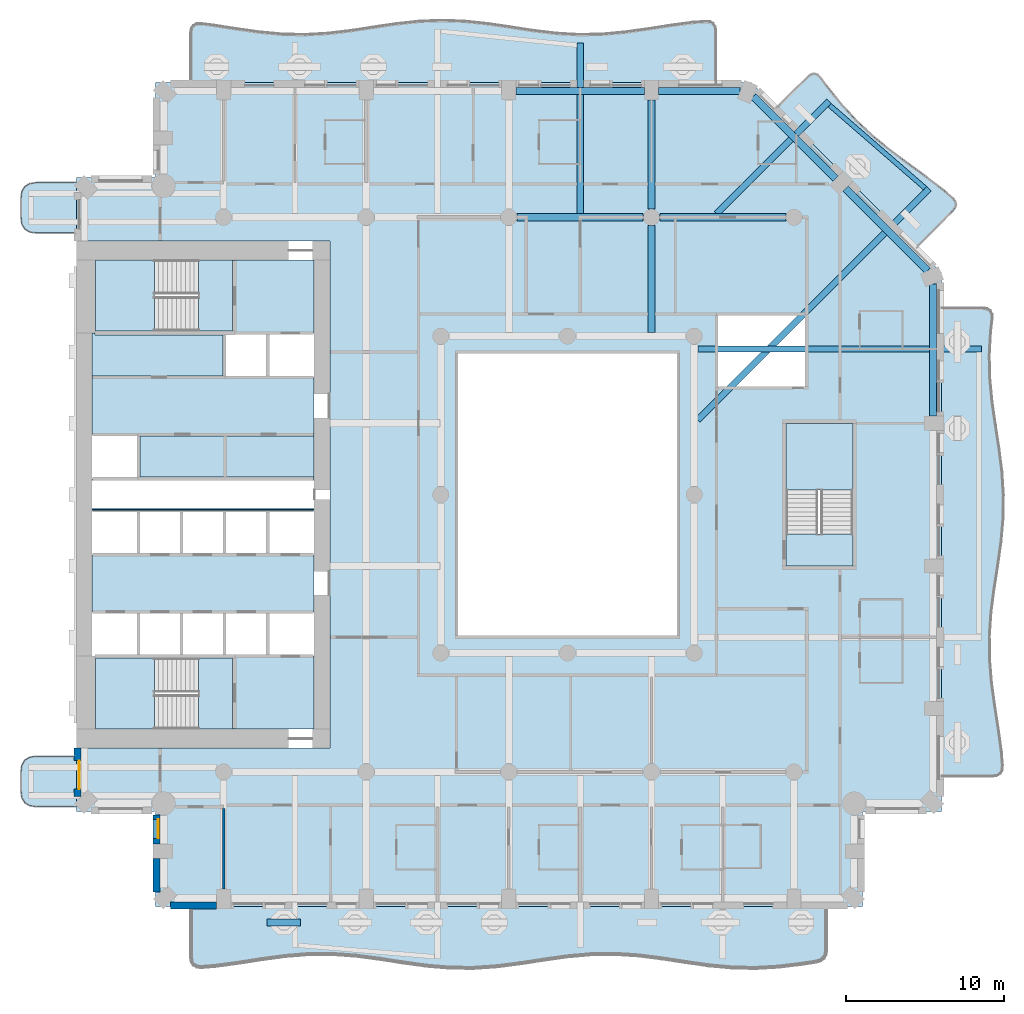
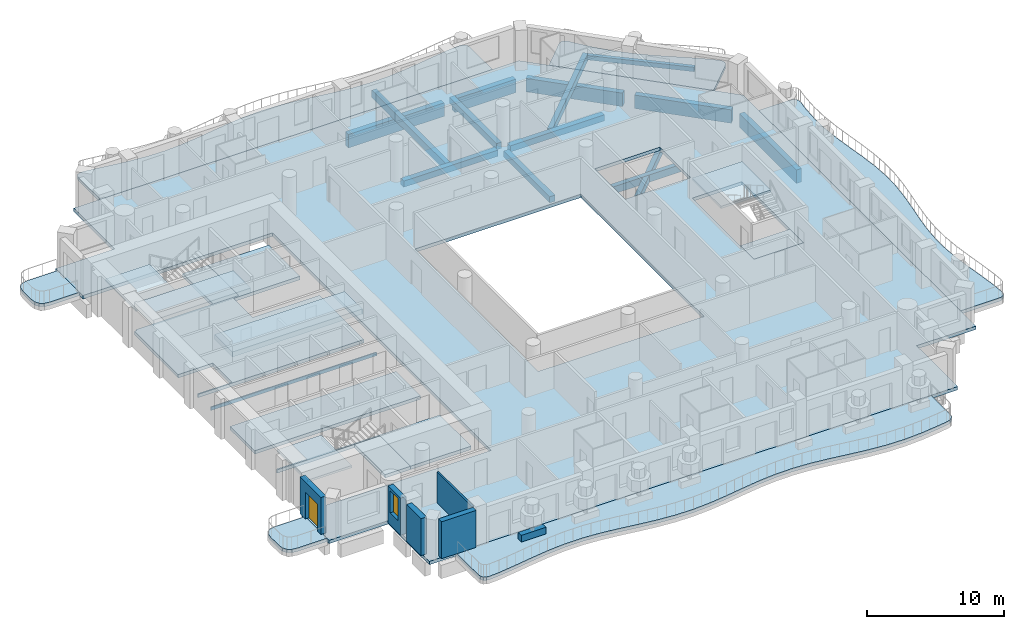
# One storey, part 2 of 19: 19 slabs, 14 beams, 6 walls, 1 door, 1 window, 2 openings, 3 elements without a shape of their own.
"""IFC4 building model written with IfcOpenShell, lengths in metres."""

from ifc_helpers import new_model, si_unit, direction, frame, frame_2d, origin, origin_2d, place, context, subcontext, project, spatial, polyline, rectangle, outline, extrude, material, layer, layer_set, material_profile, profile_set, type_object, element, fill, aggregate, save


model = new_model("IFC4")

# Units and contexts
model_context = context("Model", 3, precision=1e-05, world=origin(), true_north=direction((0.0, 1.0)))
body_context = subcontext(model_context, "Body", "Model", "MODEL_VIEW")
ifc_project = project(units=[si_unit("LENGTHUNIT", "METRE"), si_unit("AREAUNIT", "SQUARE_METRE"), si_unit("VOLUMEUNIT", "CUBIC_METRE"), si_unit("PLANEANGLEUNIT", "RADIAN"), si_unit("MASSUNIT", "GRAM", prefix="KILO")], contexts=[model_context])

# Site, building, storey
site_placement = place(None, origin())
site = spatial("IfcSite", under=ifc_project, at=site_placement, CompositionType="ELEMENT")
building_placement = place(site_placement, origin())
building = spatial("IfcBuilding", under=site, at=building_placement, Name="Cypress Arch Tower", CompositionType="ELEMENT")
storey_placement = place(building_placement, frame((0.0, 0.0, 141.89990234375)))
storey = spatial("IfcBuildingStorey", under=building, at=storey_placement, Name="L31", CompositionType="ELEMENT", Elevation=141.89990234375)

# Beams
ifc_material_1 = material(Name="Concrete C50/60", Category="concrete")
ifc_material_profile_1 = material_profile(ifc_material_1, rectangle(XDim=0.300048828125, YDim=0.39990234375, at=origin_2d()), Name="RC 300x400")
ifc_profile_set_1 = profile_set([ifc_material_profile_1], Name="Concrete C50/60")
beam_type_1 = type_object("IfcBeamType", Name="Balcony edge beam RC 300x400 Concrete C50/60", PredefinedType="BEAM", material=ifc_profile_set_1)
beam_1_placement = place(storey_placement, frame((23.56689453125, 19.337646484375, -0.5), z_axis=(-0.755110430218, 0.655597619105, 0.0), x_axis=(-0.655597619105, -0.755110430218, 0.0)))
element("IfcBeam", 1, at=beam_1_placement, inside=storey, type_object=beam_type_1, Name="Balcony edge beam L31 A07", PredefinedType="BEAM", context=body_context, shape_type="SweptSolid", body=[
    extrude(rectangle(XDim=0.300048828125, YDim=0.39990234375, at=origin_2d()), origin(), (0.0, 0.0, 1.0), 7.980712890625),
])
ifc_material_2 = material(Name="Concrete C50/60", Category="concrete")
ifc_material_profile_2 = material_profile(ifc_material_2, rectangle(XDim=0.39990234375, YDim=0.64990234375, at=origin_2d()), Name="RC 400x650")
ifc_profile_set_2 = profile_set([ifc_material_profile_2], Name="Concrete C50/60")
beam_type_2 = type_object("IfcBeamType", Name="Cantilever beam RC 400x650 Concrete C50/60", PredefinedType="BEAM", material=ifc_profile_set_2)
beam_2_placement = place(storey_placement, frame((9.22509765625, 9.18798828125, -0.625), z_axis=(1.0, 0.0, 0.0), x_axis=(0.0, 1.0, 0.0)))
element("IfcBeam", 2, at=beam_2_placement, inside=storey, type_object=beam_type_2, Name="Cantilever beam L31 A06 2", PredefinedType="BEAM", context=body_context, shape_type="SweptSolid", body=[
    extrude(rectangle(XDim=0.39990234375, YDim=0.64990234375, at=origin_2d()), origin(), (0.0, 0.0, 1.0), 17.898681640625),
])
beam_3_placement = place(storey_placement, frame((9.22509765625, 4.712890625, -0.625), z_axis=(0.707106781187, 0.707106781187, 0.0), x_axis=(-0.707106781187, 0.707106781187, 0.0)))
element("IfcBeam", 3, at=beam_3_placement, inside=storey, type_object=beam_type_2, Name="Cantilever beam L31 A07 1", PredefinedType="BEAM", context=body_context, shape_type="SweptSolid", body=[
    extrude(rectangle(XDim=0.39990234375, YDim=0.64990234375, at=origin_2d()), origin(), (0.0, 0.0, 1.0), 20.632568359375),
])
beam_4_placement = place(storey_placement, frame((10.412841796875, 17.72509765625, -0.625), z_axis=(0.707106781187, 0.707106781187, 0.0), x_axis=(-0.707106781187, 0.707106781187, 0.0)))
element("IfcBeam", 4, at=beam_4_placement, inside=storey, type_object=beam_type_2, Name="Cantilever beam L31 A07 2", PredefinedType="BEAM", context=body_context, shape_type="SweptSolid", body=[
    extrude(rectangle(XDim=0.39990234375, YDim=0.64990234375, at=origin_2d()), origin(), (0.0, 0.0, 1.0), 10.030029296875),
])
beam_5_placement = place(storey_placement, frame((1.800048828125, 17.72509765625, -0.625), z_axis=(0.0, 1.0, 0.0), x_axis=(-1.0, 0.0, 0.0)))
element("IfcBeam", 5, at=beam_5_placement, inside=storey, type_object=beam_type_2, Name="Cantilever beam L31 A08 1", PredefinedType="BEAM", context=body_context, shape_type="SweptSolid", body=[
    extrude(rectangle(XDim=0.39990234375, YDim=0.64990234375, at=origin_2d()), origin(), (0.0, 0.0, 1.0), 10.780517578125),
])
ifc_material_3 = material(Name="Concrete C50/60", Category="concrete")
ifc_material_profile_3 = material_profile(ifc_material_3, rectangle(XDim=0.449951171875, YDim=0.550048828125, at=origin_2d()), Name="RC 450x550")
ifc_profile_set_3 = profile_set([ifc_material_profile_3], Name="Concrete C50/60")
beam_type_3 = type_object("IfcBeamType", Name="Floor beam RC 450x550 Concrete C50/60", PredefinedType="BEAM", material=ifc_profile_set_3)
for number, where, z_axis, x_axis, name in (
    (6, (-2.175048828125, 17.5, -0.574951171875), (1.0, 0.0, 0.0), (0.0, 1.0, 0.0), "Floor beam L31 FB017"),
    (7, (6.824951171875, 17.5, -0.574951171875), (1.0, 0.0, 0.0), (0.0, 1.0, 0.0), "Floor beam L31 FB018"),
):
    element("IfcBeam", number, at=place(storey_placement, frame(where, z_axis=z_axis, x_axis=x_axis)), inside=storey, type_object=beam_type_3, Name=name, PredefinedType="BEAM", context=body_context, shape_type="SweptSolid", body=[
        extrude(rectangle(XDim=0.449951171875, YDim=0.550048828125, at=origin_2d()), origin(), (0.0, 0.0, 1.0), 7.949951171875),
    ])
beam_6_placement = place(storey_placement, frame((6.300048828125, 10.22509765625, -0.574951171875), z_axis=(0.0, 1.0, 0.0), x_axis=(-1.0, 0.0, 0.0)))
element("IfcBeam", 8, at=beam_6_placement, inside=storey, type_object=beam_type_3, Name="Floor beam L31 FB032", PredefinedType="BEAM", context=body_context, shape_type="SweptSolid", body=[
    extrude(rectangle(XDim=0.449951171875, YDim=0.550048828125, at=origin_2d()), origin(), (0.0, 0.0, 1.0), 6.75),
])
beam_7_placement = place(storey_placement, frame((6.300048828125, 18.02490234375, -0.574951171875), z_axis=(0.0, 1.0, 0.0), x_axis=(-1.0, 0.0, 0.0)))
element("IfcBeam", 9, at=beam_7_placement, inside=storey, type_object=beam_type_3, Name="Floor beam L31 FB033", PredefinedType="BEAM", context=body_context, shape_type="SweptSolid", body=[
    extrude(rectangle(XDim=0.449951171875, YDim=0.550048828125, at=origin_2d()), origin(), (0.0, 0.0, 1.0), 6.875),
])
ifc_material_4 = material(Name="Concrete C50/60", Category="concrete")
ifc_material_profile_4 = material_profile(ifc_material_4, rectangle(XDim=0.449951171875, YDim=1.199951171875, at=origin_2d()), Name="RC 450x1200")
ifc_profile_set_4 = profile_set([ifc_material_profile_4], Name="Concrete C50/60")
beam_type_4 = type_object("IfcBeamType", Name="Spandrel beam RC 450x1200 Concrete C50/60", PredefinedType="SPANDREL", material=ifc_profile_set_4)
beam_8_placement = place(storey_placement, frame((24.074951171875, 4.949951171875, -1.5498046875), z_axis=(0.0, 1.0, 0.0), x_axis=(-1.0, 0.0, 0.0)))
element("IfcBeam", 10, at=beam_8_placement, inside=storey, type_object=beam_type_4, Name="Spandrel beam L31 BA06-3", PredefinedType="SPANDREL", context=body_context, shape_type="SweptSolid", body=[
    extrude(rectangle(XDim=0.449951171875, YDim=1.199951171875, at=origin_2d()), origin(), (0.0, 0.0, 1.0), 8.345458984375),
])
for number, where, z_axis, x_axis, name in (
    (11, (23.73046875, 14.126953125, -1.5498046875), (-0.707106781187, 0.707106781187, 0.0), (-0.707106781187, -0.707106781187, 0.0), "Spandrel beam L31 BA07-0"),
    (12, (17.91064453125, 19.947021484375, -1.5498046875), (-0.707106781187, 0.707106781187, 0.0), (-0.707106781187, -0.707106781187, 0.0), "Spandrel beam L31 BA07-1"),
):
    element("IfcBeam", number, at=place(storey_placement, frame(where, z_axis=z_axis, x_axis=x_axis)), inside=storey, type_object=beam_type_4, Name=name, PredefinedType="SPANDREL", context=body_context, shape_type="SweptSolid", body=[
        extrude(rectangle(XDim=0.449951171875, YDim=1.199951171875, at=origin_2d()), origin(), (0.0, 0.0, 1.0), 7.330810546875),
    ])
beam_9_placement = place(storey_placement, frame((11.8955078125, 25.47509765625, -1.5498046875), z_axis=(-1.0, 0.0, 0.0), x_axis=(0.0, -1.0, 0.0)))
element("IfcBeam", 13, at=beam_9_placement, inside=storey, type_object=beam_type_4, Name="Spandrel beam L31 BA08-0", PredefinedType="SPANDREL", context=body_context, shape_type="SweptSolid", body=[
    extrude(rectangle(XDim=0.449951171875, YDim=1.199951171875, at=origin_2d()), origin(), (0.0, 0.0, 1.0), 5.1455078125),
])
beam_10_placement = place(storey_placement, frame((5.85009765625, 25.47509765625, -1.5498046875), z_axis=(-1.0, 0.0, 0.0), x_axis=(0.0, -1.0, 0.0)))
element("IfcBeam", 14, at=beam_10_placement, inside=storey, type_object=beam_type_4, Name="Spandrel beam L31 BA08-1", PredefinedType="SPANDREL", context=body_context, shape_type="SweptSolid", body=[
    extrude(rectangle(XDim=0.449951171875, YDim=1.199951171875, at=origin_2d()), origin(), (0.0, 0.0, 1.0), 8.10009765625),
])

# Slabs
ifc_material_5 = material(Name="Concrete C40/50", Category="concrete")
ifc_layer_1 = layer(ifc_material_5, 0.300048828125)
ifc_layer_set_1 = layer_set([ifc_layer_1], Name="Balcony slab BS300")
slab_type_1 = type_object("IfcSlabType", Name="Balcony slab BS300", PredefinedType="USERDEFINED", material=ifc_layer_set_1)
slab_1_placement = place(storey_placement, frame((0.0, 0.0, -0.2998046875)))
element("IfcSlab", 15, at=slab_1_placement, inside=storey, type_object=slab_type_1, Name="Balcony slab L31-A00W0", ObjectType="BALCONY SLAB", PredefinedType="USERDEFINED", context=body_context, shape_type="SweptSolid", body=[
    extrude(outline(polyline([(-30.0, 19.699951171875), (-32.5, 19.699951171875), (-32.9375, 19.637451171875), (-33.25, 19.449951171875), (-33.4375, 19.137451171875), (-33.5, 18.699951171875), (-33.5, 17.5), (-33.4375, 17.0625), (-33.25, 16.75), (-32.9375, 16.5625), (-32.5, 16.5), (-30.0, 16.5), (-30.0, 19.699951171875)])), origin(), (0.0, 0.0, 1.0), 0.2998046875),
])
slab_2_placement = place(storey_placement, frame((0.0, 0.0, -0.2998046875)))
element("IfcSlab", 16, at=slab_2_placement, inside=storey, type_object=slab_type_1, Name="Balcony slab L31-A00W1", ObjectType="BALCONY SLAB", PredefinedType="USERDEFINED", context=body_context, shape_type="SweptSolid", body=[
    extrude(outline(polyline([(-30.0, -16.5), (-32.5, -16.5), (-32.9375, -16.5625), (-33.25, -16.75), (-33.4375, -17.0625), (-33.5, -17.5), (-33.5, -18.699951171875), (-33.4375, -19.137451171875), (-33.25, -19.449951171875), (-32.9375, -19.637451171875), (-32.5, -19.699951171875), (-30.0, -19.699951171875), (-30.0, -16.5)])), origin(), (0.0, 0.0, 1.0), 0.2998046875),
])
slab_3_placement = place(storey_placement, frame((0.0, 0.0, -0.2998046875)))
element("IfcSlab", 17, at=slab_3_placement, inside=storey, type_object=slab_type_1, Name="Balcony slab L31-A03", ObjectType="BALCONY SLAB", PredefinedType="USERDEFINED", context=body_context, shape_type="SweptSolid", body=[
    extrude(outline(polyline([(-22.75, -26.0), (-22.75, -29.21435546875), (-22.708251953125, -29.50439453125), (-22.5830078125, -29.7041015625), (-22.3740234375, -29.813720703125), (-22.081787109375, -29.8330078125), (-21.264892578125, -29.769775390625), (-19.779541015625, -29.571044921875), (-18.29443359375, -29.34033203125), (-16.809326171875, -29.138427734375), (-15.323974609375, -29.0185546875), (-13.8388671875, -29.011962890625), (-12.353759765625, -29.12060546875), (-10.868408203125, -29.315673828125), (-9.38330078125, -29.546142578125), (-7.898193359375, -29.751220703125), (-6.412841796875, -29.87744140625), (-4.927734375, -29.89111328125), (-3.442626953125, -29.788818359375), (-1.95751953125, -29.59765625), (-0.47216796875, -29.36767578125), (1.012939453125, -29.1591796875), (2.498046875, -29.02734375), (3.9833984375, -29.00634765625), (5.468505859375, -29.10205078125), (6.95361328125, -29.289306640625), (8.43896484375, -29.5185546875), (9.924072265625, -29.72998046875), (11.4091796875, -29.86767578125), (12.89453125, -29.895751953125), (14.379638671875, -29.806640625), (15.86474609375, -29.623779296875), (16.681640625, -29.498046875), (16.97412109375, -29.41064453125), (17.182861328125, -29.251708984375), (17.308349609375, -29.021240234375), (17.35009765625, -28.718994140625), (17.35009765625, -26.0), (-22.75, -26.0)])), origin(), (0.0, 0.0, 1.0), 0.2998046875),
])
slab_4_placement = place(storey_placement, frame((0.0, 0.0, -0.2998046875)))
element("IfcSlab", 18, at=slab_4_placement, inside=storey, type_object=slab_type_1, Name="Balcony slab L31-A06", ObjectType="BALCONY SLAB", PredefinedType="USERDEFINED", context=body_context, shape_type="SweptSolid", body=[
    extrude(outline(polyline([(24.60009765625, -17.75), (27.81884765625, -17.75), (28.10693359375, -17.70849609375), (28.305419921875, -17.583984375), (28.414306640625, -17.376708984375), (28.43359375, -17.086181640625), (28.370849609375, -16.27490234375), (28.174072265625, -14.800048828125), (27.945068359375, -13.324951171875), (27.7431640625, -11.85009765625), (27.620849609375, -10.375), (27.60986328125, -8.89990234375), (27.712890625, -7.425048828125), (27.903564453125, -5.949951171875), (28.132080078125, -4.47509765625), (28.33935546875, -3.0), (28.471435546875, -1.52490234375), (28.494384765625, -0.050048828125), (28.402099609375, 1.425048828125), (28.218505859375, 2.89990234375), (27.9912109375, 4.375), (27.779296875, 5.85009765625), (27.63720703125, 7.324951171875), (27.6025390625, 8.800048828125), (27.68359375, 10.27490234375), (27.780517578125, 11.086181640625), (27.7734375, 11.376708984375), (27.6728515625, 11.583984375), (27.478759765625, 11.70849609375), (27.19140625, 11.75), (24.60009765625, 11.75), (24.60009765625, -17.75)])), origin(), (0.0, 0.0, 1.0), 0.2998046875),
])
slab_5_placement = place(storey_placement, frame((0.0, 0.0, -0.2998046875)))
element("IfcSlab", 19, at=slab_5_placement, inside=storey, type_object=slab_type_1, Name="Balcony slab L31-A07", ObjectType="BALCONY SLAB", PredefinedType="USERDEFINED", context=body_context, shape_type="SweptSolid", body=[
    extrude(outline(polyline([(23.009033203125, 15.591064453125), (25.313720703125, 17.895751953125), (25.4775390625, 18.11474609375), (25.52685546875, 18.329345703125), (25.461669921875, 18.53955078125), (25.281982421875, 18.74560546875), (24.70263671875, 19.244140625), (23.595458984375, 20.0966796875), (22.464111328125, 20.9248046875), (21.343017578125, 21.76318359375), (20.2646484375, 22.64453125), (19.251708984375, 23.591064453125), (18.311767578125, 24.610595703125), (17.435546875, 25.694091796875), (16.975830078125, 26.31201171875), (16.783203125, 26.50537109375), (16.582275390625, 26.579833984375), (16.372314453125, 26.535400390625), (16.15380859375, 26.371826171875), (14.19091796875, 24.408935546875), (23.009033203125, 15.591064453125)])), origin(), (0.0, 0.0, 1.0), 0.2998046875),
])
slab_6_placement = place(storey_placement, frame((0.0, 0.0, -0.2998046875)))
element("IfcSlab", 20, at=slab_6_placement, inside=storey, type_object=slab_type_1, Name="Balcony slab L31-A08", ObjectType="BALCONY SLAB", PredefinedType="USERDEFINED", context=body_context, shape_type="SweptSolid", body=[
    extrude(outline(polyline([(10.35009765625, 26.0), (10.35009765625, 29.235107421875), (10.3095703125, 29.516357421875), (10.18798828125, 29.7099609375), (9.98583984375, 29.81640625), (9.702392578125, 29.835205078125), (8.910888671875, 29.77490234375), (7.4716796875, 29.584716796875), (6.03271484375, 29.361572265625), (4.593505859375, 29.159912109375), (3.154296875, 29.030029296875), (1.71533203125, 29.004150390625), (0.276123046875, 29.088134765625), (-1.1630859375, 29.26171875), (-2.602294921875, 29.481689453125), (-4.041259765625, 29.69384765625), (-5.48046875, 29.845947265625), (-6.919677734375, 29.89990234375), (-8.358642578125, 29.843017578125), (-9.7978515625, 29.688720703125), (-11.237060546875, 29.4755859375), (-12.676025390625, 29.256103515625), (-14.115234375, 29.08447265625), (-15.554443359375, 29.003173828125), (-16.993408203125, 29.032470703125), (-18.4326171875, 29.164794921875), (-19.871826171875, 29.367431640625), (-21.310791015625, 29.590576171875), (-22.102294921875, 29.6943359375), (-22.3857421875, 29.690673828125), (-22.588134765625, 29.5947265625), (-22.70947265625, 29.406494140625), (-22.75, 29.1259765625), (-22.75, 26.0), (10.35009765625, 26.0)])), origin(), (0.0, 0.0, 1.0), 0.2998046875),
])
ifc_material_6 = material(Name="Concrete C40/50", Category="concrete")
ifc_layer_2 = layer(ifc_material_6, 0.300048828125)
ifc_layer_set_2 = layer_set([ifc_layer_2], Name="Core floor CF300")
slab_type_2 = type_object("IfcSlabType", Name="Core floor CF300", PredefinedType="FLOOR", material=ifc_layer_set_2)
slab_7_placement = place(storey_placement, frame((0.0, 0.0, -0.2998046875)))
element("IfcSlab", 21, at=slab_7_placement, inside=storey, type_object=slab_type_2, Name="Core floor", PredefinedType="FLOOR", context=body_context, shape_type="SweptSolid", body=[
    extrude(outline(polyline([(-20.125, -14.800048828125), (-15.0, -14.800048828125), (-15.0, -10.199951171875), (-17.919921875, -10.199951171875), (-20.639892578125, -10.199951171875), (-23.360107421875, -10.199951171875), (-26.080078125, -10.199951171875), (-28.800048828125, -10.199951171875), (-28.800048828125, -10.324951171875), (-22.27490234375, -10.324951171875), (-20.125, -10.324951171875), (-20.125, -14.800048828125)])), origin(), (0.0, 0.0, 1.0), 0.2998046875),
])
slab_8_placement = place(storey_placement, frame((0.0, 0.0, -0.2998046875)))
element("IfcSlab", 22, at=slab_8_placement, inside=storey, type_object=slab_type_2, Name="Core floor", PredefinedType="FLOOR", context=body_context, shape_type="SweptSolid", body=[
    extrude(outline(polyline([(-29.0, -3.800048828125), (-29.0, -7.39990234375), (-26.080078125, -7.39990234375), (-23.360107421875, -7.39990234375), (-20.639892578125, -7.39990234375), (-17.919921875, -7.39990234375), (-15.0, -7.39990234375), (-15.0, -3.800048828125), (-17.919921875, -3.800048828125), (-20.639892578125, -3.800048828125), (-23.360107421875, -3.800048828125), (-26.080078125, -3.800048828125), (-29.0, -3.800048828125)])), origin(), (0.0, 0.0, 1.0), 0.2998046875),
])
slab_9_placement = place(storey_placement, frame((0.0, 0.0, -0.2998046875)))
element("IfcSlab", 23, at=slab_9_placement, inside=storey, type_object=slab_type_2, Name="Core floor", PredefinedType="FLOOR", context=body_context, shape_type="SweptSolid", body=[
    extrude(outline(polyline([(-29.0, 3.800048828125), (-29.0, 10.199951171875), (-28.800048828125, 10.199951171875), (-28.800048828125, 10.324951171875), (-28.60009765625, 10.324951171875), (-22.27490234375, 10.324951171875), (-20.125, 10.324951171875), (-20.125, 14.800048828125), (-15.39990234375, 14.800048828125), (-15.0, 14.800048828125), (-15.0, 10.199951171875), (-15.39990234375, 10.199951171875), (-17.919921875, 10.199951171875), (-20.639892578125, 10.199951171875), (-20.639892578125, 7.39990234375), (-17.919921875, 7.39990234375), (-15.39990234375, 7.39990234375), (-15.0, 7.39990234375), (-15.0, 0.89990234375), (-28.60009765625, 0.89990234375), (-29.0, 0.89990234375), (-29.0, 1.0), (-28.60009765625, 1.0), (-26.080078125, 1.0), (-26.080078125, 3.800048828125), (-28.60009765625, 3.800048828125), (-29.0, 3.800048828125)])), origin(), (0.0, 0.0, 1.0), 0.2998046875),
])
slab_10_placement = place(storey_placement, frame((0.0, 0.0, -0.2998046875)))
element("IfcSlab", 24, at=slab_10_placement, inside=storey, type_object=slab_type_2, Name="Core floor", PredefinedType="FLOOR", context=body_context, shape_type="SweptSolid", body=[
    extrude(outline(polyline([(-22.27490234375, -10.324951171875), (-22.27490234375, -14.800048828125), (-20.125, -14.800048828125), (-20.125, -10.324951171875), (-22.27490234375, -10.324951171875)])), origin(), (0.0, 0.0, 1.0), 0.2998046875),
])
slab_11_placement = place(storey_placement, frame((0.0, 0.0, -0.2998046875)))
element("IfcSlab", 25, at=slab_11_placement, inside=storey, type_object=slab_type_2, Name="Core floor", PredefinedType="FLOOR", context=body_context, shape_type="SweptSolid", body=[
    extrude(outline(polyline([(-20.125, 14.800048828125), (-22.27490234375, 14.800048828125), (-22.27490234375, 10.324951171875), (-20.125, 10.324951171875), (-20.125, 14.800048828125)])), origin(), (0.0, 0.0, 1.0), 0.2998046875),
])
slab_12_placement = place(storey_placement, frame((0.0, 0.0, -0.2998046875)))
element("IfcSlab", 26, at=slab_12_placement, inside=storey, type_object=slab_type_2, Name="Stair floor landing", PredefinedType="FLOOR", context=body_context, shape_type="SweptSolid", body=[
    extrude(outline(polyline([(19.0, -4.5), (19.0, -2.5), (14.800048828125, -2.5), (14.800048828125, -4.5), (19.0, -4.5)])), origin(), (0.0, 0.0, 1.0), 0.2998046875),
])
slab_13_placement = place(storey_placement, frame((0.0, 0.0, -0.2998046875)))
element("IfcSlab", 27, at=slab_13_placement, inside=storey, type_object=slab_type_2, Name="Core floor", PredefinedType="FLOOR", context=body_context, shape_type="SweptSolid", body=[
    extrude(outline(polyline([(-20.639892578125, -1.0), (-23.360107421875, -1.0), (-26.080078125, -1.0), (-28.60009765625, -1.0), (-29.0, -1.0), (-29.0, -0.89990234375), (-28.60009765625, -0.89990234375), (-15.39990234375, -0.89990234375), (-15.0, -0.89990234375), (-15.0, -1.0), (-15.39990234375, -1.0), (-17.919921875, -1.0), (-20.639892578125, -1.0)])), origin(), (0.0, 0.0, 1.0), 0.2998046875),
])
ifc_material_7 = material(Name="Concrete C40/50", Category="concrete")
ifc_layer_3 = layer(ifc_material_7, 0.449951171875)
ifc_layer_set_3 = layer_set([ifc_layer_3], Name="Lift pit slab PS450")
slab_type_3 = type_object("IfcSlabType", Name="Lift pit slab PS450", PredefinedType="FLOOR", material=ifc_layer_set_3)
slab_14_placement = place(storey_placement, frame((0.0, 0.0, 2.150146484375)))
element("IfcSlab", 28, at=slab_14_placement, inside=storey, type_object=slab_type_3, Name="Lift pit slab", PredefinedType="FLOOR", context=body_context, shape_type="SweptSolid", body=[
    extrude(outline(polyline([(-15.0, 3.800048828125), (-15.030029296875, 3.800048828125), (-15.030029296875, 3.699951171875), (-25.97998046875, 3.699951171875), (-25.97998046875, 1.10009765625), (-15.030029296875, 1.10009765625), (-15.030029296875, 1.0), (-15.0, 1.0), (-15.0, 3.800048828125)])), origin(), (0.0, 0.0, 1.0), 0.449951171875),
])
slab_15_placement = place(storey_placement, frame((0.0, 0.0, 2.150146484375)))
element("IfcSlab", 29, at=slab_15_placement, inside=storey, type_object=slab_type_3, Name="Lift pit slab", PredefinedType="FLOOR", context=body_context, shape_type="SweptSolid", body=[
    extrude(outline(polyline([(-29.0, 7.39990234375), (-28.969970703125, 7.39990234375), (-28.969970703125, 7.5), (-20.739990234375, 7.5), (-20.739990234375, 10.074951171875), (-28.81005859375, 10.074951171875), (-28.81005859375, 10.199951171875), (-29.0, 10.199951171875), (-29.0, 7.39990234375)])), origin(), (0.0, 0.0, 1.0), 0.449951171875),
])
ifc_material_8 = material(Name="Concrete C40/50", Category="concrete")
ifc_layer_4 = layer(ifc_material_8, 0.300048828125)
ifc_layer_set_4 = layer_set([ifc_layer_4], Name="PT flat slab 300 Concrete C40/50")
slab_type_4 = type_object("IfcSlabType", Name="PT flat slab 300 Concrete C40/50", PredefinedType="FLOOR", material=ifc_layer_set_4)
slab_16_placement = place(storey_placement, frame((0.0, 0.0, -0.2998046875)))
element("IfcSlab", 30, at=slab_16_placement, inside=storey, type_object=slab_type_4, Name="Floor slab L31", PredefinedType="FLOOR", context=body_context, shape_type="SweptSolid", body=[
    extrude(outline(polyline([(-25.0, 20.0), (-25.0, 26.0), (12.60009765625, 26.0), (24.60009765625, 14.0), (24.60009765625, -20.0), (19.60009765625, -20.0), (19.60009765625, -26.0), (-25.0, -26.0), (-25.0, -20.0), (-30.0, -20.0), (-30.0, -16.0), (-14.0, -16.0), (-14.0, 16.0), (-30.0, 16.0), (-30.0, 20.0), (-25.0, 20.0)]), holes=[polyline([(19.0, -4.5), (19.0, 4.5), (14.800048828125, 4.5), (14.800048828125, -4.5), (19.0, -4.5)]), polyline([(16.0, 6.824951171875), (16.0, 11.300048828125), (10.5, 11.300048828125), (10.5, 6.824951171875), (16.0, 6.824951171875)]), polyline([(8.0, -9.0), (8.0, 9.0), (-6.0, 9.0), (-6.0, -9.0), (8.0, -9.0)])]), origin(), (0.0, 0.0, 1.0), 0.2998046875),
])

# Stair, slab
ifc_material_9 = material(Name="Concrete C40/50", Category="concrete")
stair_type_1 = type_object("IfcStairType", Name="Exit stair ES1636-215", PredefinedType="HALF_TURN_STAIR", material=ifc_material_9)
stair_1_placement = place(storey_placement, origin())
stair_1 = element("IfcStair", 31, at=stair_1_placement, inside=storey, type_object=stair_type_1, Name="L31 Exit stair A", PredefinedType="HALF_TURN_STAIR")
ifc_material_10 = material(Name="Concrete C40/50", Category="concrete")
ifc_layer_5 = layer(ifc_material_10, 0.199951171875)
ifc_layer_set_5 = layer_set([ifc_layer_5], Name="Stair landing SL200")
slab_type_5 = type_object("IfcSlabType", Name="Stair landing SL200", PredefinedType="LANDING", material=ifc_layer_set_5)
slab_17_placement = place(storey_placement, frame((0.0, 0.0, 1.60009765625)))
slab_17 = element("IfcSlab", 32, at=slab_17_placement, type_object=slab_type_5, Name="A landing 1", PredefinedType="LANDING", context=body_context, shape_type="SweptSolid", body=[
    extrude(outline(polyline([(-25.074951171875, -10.324951171875), (-28.800048828125, -10.324951171875), (-28.800048828125, -14.800048828125), (-25.074951171875, -14.800048828125), (-25.074951171875, -10.324951171875)])), origin(), (0.0, 0.0, 1.0), 0.199951171875),
])
aggregate(stair_1, [slab_17])

stair_2_placement = place(storey_placement, origin())
stair_2 = element("IfcStair", 33, at=stair_2_placement, inside=storey, type_object=stair_type_1, Name="L31 Exit stair B", PredefinedType="HALF_TURN_STAIR")
slab_18_placement = place(storey_placement, frame((0.0, 0.0, 1.60009765625)))
slab_18 = element("IfcSlab", 34, at=slab_18_placement, type_object=slab_type_5, Name="B landing 1", PredefinedType="LANDING", context=body_context, shape_type="SweptSolid", body=[
    extrude(outline(polyline([(-25.074951171875, 14.800048828125), (-28.800048828125, 14.800048828125), (-28.800048828125, 10.324951171875), (-25.074951171875, 10.324951171875), (-25.074951171875, 14.800048828125)])), origin(), (0.0, 0.0, 1.0), 0.199951171875),
])
aggregate(stair_2, [slab_18])

ifc_material_11 = material(Name="Concrete C40/50", Category="concrete")
stair_type_2 = type_object("IfcStairType", Name="Exit stair ES1636-200", PredefinedType="HALF_TURN_STAIR", material=ifc_material_11)
stair_3_placement = place(storey_placement, origin())
stair_3 = element("IfcStair", 35, at=stair_3_placement, inside=storey, type_object=stair_type_2, Name="L31 Exit stair C", PredefinedType="HALF_TURN_STAIR")
slab_19_placement = place(storey_placement, frame((0.0, 0.0, 1.60009765625)))
slab_19 = element("IfcSlab", 36, at=slab_19_placement, type_object=slab_type_5, Name="C landing 1", PredefinedType="LANDING", context=body_context, shape_type="SweptSolid", body=[
    extrude(outline(polyline([(19.0, 0.300048828125), (19.0, 4.5), (14.800048828125, 4.5), (14.800048828125, 0.300048828125), (19.0, 0.300048828125)])), origin(), (0.0, 0.0, 1.0), 0.199951171875),
])
aggregate(stair_3, [slab_19])

# Wall
ifc_material_12 = material(Name="Concrete C40/50, waterproofed", Category="concrete")
ifc_layer_6 = layer(ifc_material_12, 0.449951171875)
ifc_layer_set_6 = layer_set([ifc_layer_6], Name="Balcony planter wall PW450")
wall_type_1 = type_object("IfcWallType", Name="Balcony planter wall PW450", PredefinedType="SOLIDWALL", material=ifc_layer_set_6)
wall_1_placement = place(storey_placement, frame((-17.949951171875, -27.0, 0.0), z_axis=(0.0, 0.0, 1.0), x_axis=(1.0, 0.0, 0.0)))
element("IfcWall", 37, at=wall_1_placement, inside=storey, type_object=wall_type_1, Name="Balcony planter wall L31-A03.1", PredefinedType="SOLIDWALL", context=body_context, shape_type="SweptSolid", body=[
    extrude(rectangle(XDim=2.099853515625, YDim=0.449951171875, at=frame_2d((1.0498046875, 0.0))), origin(), (0.0, 0.0, 1.0), 0.60009765625),
])

# Wall, opening, door
ifc_material_13 = material(Name="Brick (red buff blend)", Category="masonry")
ifc_layer_7 = layer(ifc_material_13, 0.449951171875)
ifc_layer_set_7 = layer_set([ifc_layer_7], Name="Brick pier and spandrel wall BW450")
wall_type_2 = type_object("IfcWallType", Name="Brick pier and spandrel wall BW450", PredefinedType="SOLIDWALL", material=ifc_layer_set_7)
wall_2_placement = place(storey_placement, frame((-29.925048828125, -16.0, 0.0), z_axis=(0.0, 0.0, 1.0), x_axis=(0.0, -1.0, 0.0)))
wall_2 = element("IfcWall", 38, at=wall_2_placement, inside=storey, type_object=wall_type_2, Name="Brick wall L31 A00.0.1", PredefinedType="SOLIDWALL", context=body_context, shape_type="SweptSolid", body=[
    extrude(rectangle(XDim=3.063720703125, YDim=0.449951171875, at=frame_2d((1.53173828125, 0.0))), origin(), (0.0, 0.0, 1.0), 3.300048828125),
])
opening_1_placement = place(wall_2_placement, frame((0.78173828125, 0.0, 0.0)))
opening_1 = element("IfcOpeningElement", 39, at=opening_1_placement, cuts=wall_2, Name="Opening D-L31-A00.0.1.9", PredefinedType="OPENING", context=body_context, shape_type="SweptSolid", body=[
    extrude(rectangle(XDim=1.800048828125, YDim=2.39990234375, at=frame_2d((0.89990234375, 1.199951171875))), frame((0.0, 0.23486328125, 0.0), z_axis=(0.0, -1.0, 0.0), x_axis=(1.0, 0.0, 0.0)), (0.0, 0.0, 1.0), 0.469970703125),
])
ifc_material_14 = material(Name="Anodised aluminium, bronze finish, laminated low-emissivity double glazing, large-missile impact rated", Category="aluminium")
door_type = type_object("IfcDoorType", Name="Balcony sliding door 1800x2400", OperationType="SLIDING_TO_LEFT", PredefinedType="DOOR", material=ifc_material_14)
door_placement = place(opening_1_placement, origin())
door = element("IfcDoor", 40, at=door_placement, inside=storey, type_object=door_type, Name="Balcony door L31 A00.0.1.9", OperationType="SLIDING_TO_LEFT", OverallHeight=2.39990234375, OverallWidth=1.800048828125, PredefinedType="DOOR", context=body_context, shape_type="SweptSolid", body=[
    extrude(rectangle(XDim=1.800048828125, YDim=2.39990234375, at=frame_2d((0.89990234375, 1.199951171875))), frame((0.0, 0.1298828125, 0.0), z_axis=(0.0, -1.0, 0.0), x_axis=(1.0, 0.0, 0.0)), (0.0, 0.0, 1.0), 0.050048828125),
])
fill(opening_1, door)

# Wall, opening, window
wall_3_placement = place(storey_placement, frame((-24.925048828125, -20.20703125, 0.0), z_axis=(0.0, 0.0, 1.0), x_axis=(0.0, -1.0, 0.0)))
wall_3 = element("IfcWall", 41, at=wall_3_placement, inside=storey, type_object=wall_type_2, Name="Brick wall L31 A02.0", PredefinedType="SOLIDWALL", context=body_context, shape_type="SweptSolid", body=[
    extrude(rectangle(XDim=1.843017578125, YDim=0.449951171875, at=frame_2d((0.92138671875, 0.0))), origin(), (0.0, 0.0, 1.0), 3.300048828125),
])
opening_2_placement = place(wall_3_placement, frame((0.29296875, 0.0, 1.050048828125)))
opening_2 = element("IfcOpeningElement", 42, at=opening_2_placement, cuts=wall_3, Name="Opening W120H", PredefinedType="OPENING", context=body_context, shape_type="SweptSolid", body=[
    extrude(rectangle(XDim=1.199951171875, YDim=2.0, at=frame_2d((0.60009765625, 1.0))), frame((0.0, 0.23486328125, 0.0), z_axis=(0.0, -1.0, 0.0), x_axis=(1.0, 0.0, 0.0)), (0.0, 0.0, 1.0), 0.469970703125),
])
ifc_material_15 = material(Name="Anodised aluminium, bronze finish, clear low-emissivity double glazing", Category="aluminium")
window_type = type_object("IfcWindowType", Name="Window Hotel 1200x2000", PartitioningType="SINGLE_PANEL", PredefinedType="WINDOW", material=ifc_material_15)
window_placement = place(opening_2_placement, origin())
window = element("IfcWindow", 43, at=window_placement, inside=storey, type_object=window_type, Name="Window L31 A02.0.1", OverallHeight=2.0, OverallWidth=1.199951171875, PartitioningType="SINGLE_PANEL", PredefinedType="WINDOW", context=body_context, shape_type="SweptSolid", body=[
    extrude(rectangle(XDim=1.199951171875, YDim=2.0, at=frame_2d((0.60009765625, 1.0))), frame((0.0, 0.135009765625, 0.0), z_axis=(0.0, -1.0, 0.0), x_axis=(1.0, 0.0, 0.0)), (0.0, 0.0, 1.0), 0.06005859375),
])
fill(opening_2, window)

# Walls
wall_4_placement = place(storey_placement, frame((-24.925048828125, -22.949951171875, 0.0), z_axis=(0.0, 0.0, 1.0), x_axis=(0.0, -1.0, 0.0)))
element("IfcWall", 44, at=wall_4_placement, inside=storey, type_object=wall_type_2, Name="Brick wall L31 A02.1", PredefinedType="SOLIDWALL", context=body_context, shape_type="SweptSolid", body=[
    extrude(rectangle(XDim=2.11376953125, YDim=0.449951171875, at=frame_2d((1.056884765625, 0.0))), origin(), (0.0, 0.0, 1.0), 3.300048828125),
])
wall_5_placement = place(storey_placement, frame((-24.063720703125, -25.925048828125, 0.0), z_axis=(0.0, 0.0, 1.0), x_axis=(1.0, 0.0, 0.0)))
element("IfcWall", 45, at=wall_5_placement, inside=storey, type_object=wall_type_2, Name="Brick wall L31 A03.0", PredefinedType="SOLIDWALL", context=body_context, shape_type="SweptSolid", body=[
    extrude(rectangle(XDim=2.913818359375, YDim=0.449951171875, at=frame_2d((1.45703125, 0.0))), origin(), (0.0, 0.0, 1.0), 3.300048828125),
])
ifc_material_16 = material(Name="Blockwork, plastered both sides", Category="masonry")
ifc_layer_8 = layer(ifc_material_16, 0.14990234375)
ifc_layer_set_8 = layer_set([ifc_layer_8], Name="Partition PW150")
wall_type_3 = type_object("IfcWallType", Name="Partition PW150", PredefinedType="PARTITIONING", material=ifc_layer_set_8)
wall_6_placement = place(storey_placement, frame((-20.699951171875, -24.89990234375, 0.0), z_axis=(0.0, 0.0, 1.0), x_axis=(0.0, 1.0, 0.0)))
element("IfcWall", 46, at=wall_6_placement, inside=storey, type_object=wall_type_3, Name="Partition", PredefinedType="PARTITIONING", context=body_context, shape_type="SweptSolid", body=[
    extrude(rectangle(XDim=5.099853515625, YDim=0.14990234375, at=frame_2d((2.5498046875, 0.0))), origin(), (0.0, 0.0, 1.0), 2.75),
])

save(model, "model.ifc")
